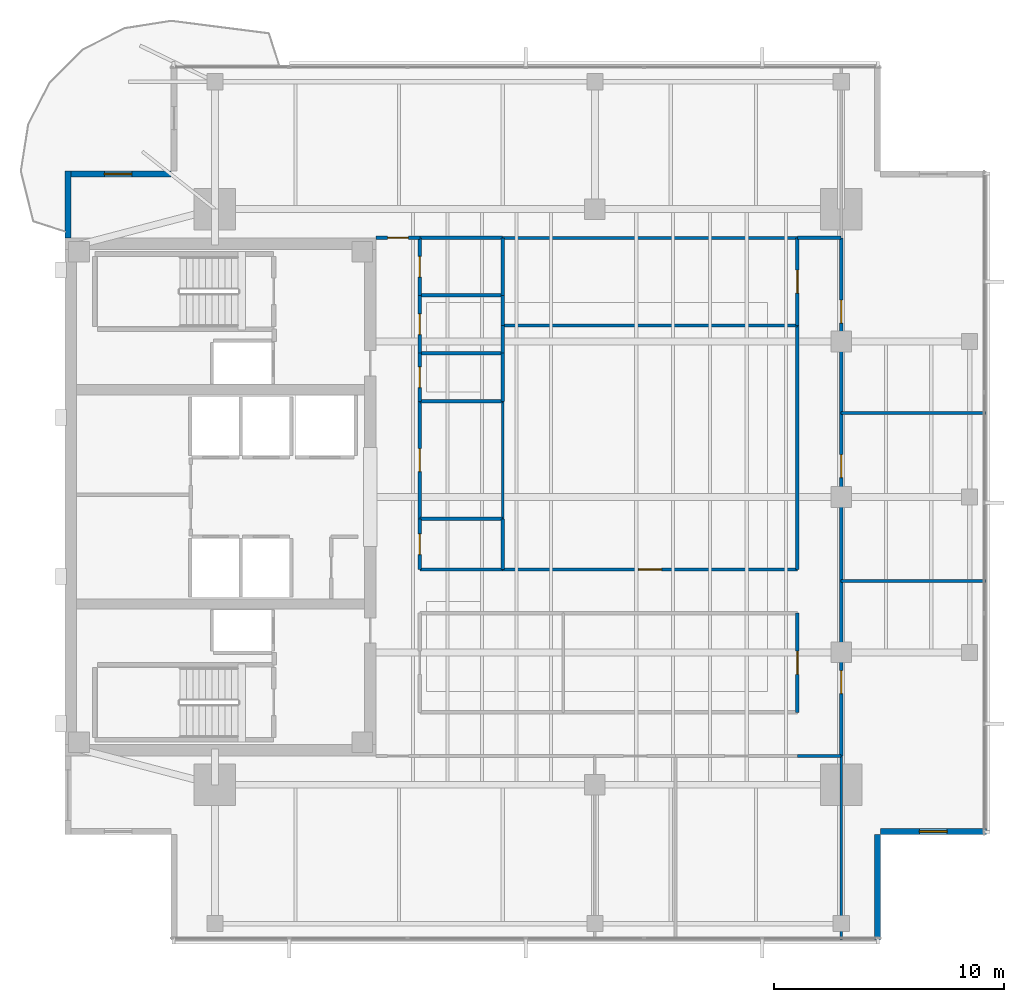
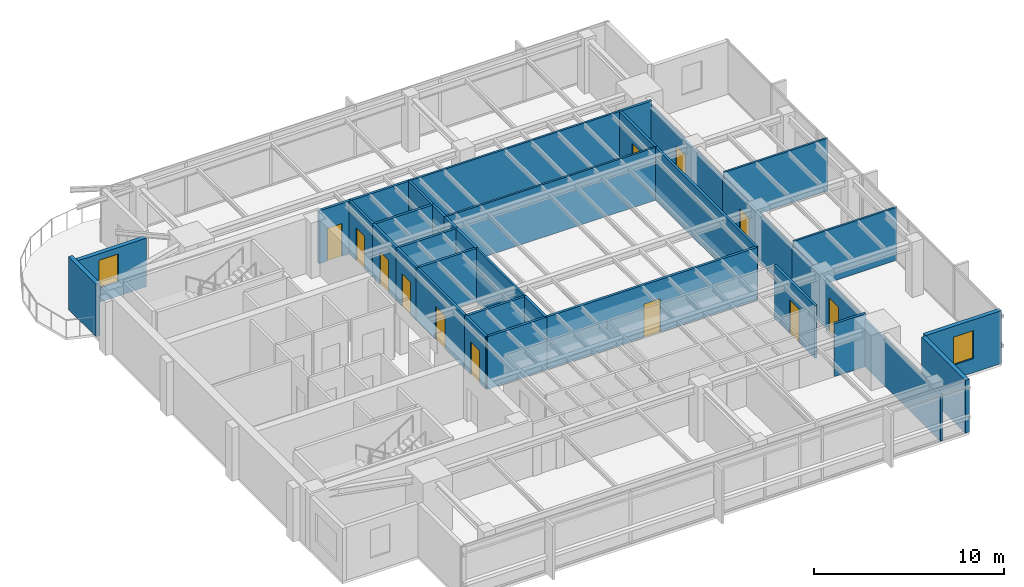
# One storey, part 9 of 14: 36 walls, 12 doors, 2 windows, 14 openings.
"""IFC4 building model written with IfcOpenShell, lengths in metres."""

from ifc_helpers import new_model, si_unit, direction, frame, frame_2d, origin, place, context, subcontext, project, spatial, rectangle, extrude, material, layer, layer_set, type_object, element, fill, save


model = new_model("IFC4")

# Units and contexts
model_context = context("Model", 3, precision=1e-05, world=origin(), true_north=direction((0.0, 1.0)))
body_context = subcontext(model_context, "Body", "Model", "MODEL_VIEW")
ifc_project = project(units=[si_unit("LENGTHUNIT", "METRE"), si_unit("AREAUNIT", "SQUARE_METRE"), si_unit("VOLUMEUNIT", "CUBIC_METRE"), si_unit("PLANEANGLEUNIT", "RADIAN"), si_unit("MASSUNIT", "GRAM", prefix="KILO")], contexts=[model_context])

# Site, building, storey
site_placement = place(None, origin())
site = spatial("IfcSite", under=ifc_project, at=site_placement, CompositionType="ELEMENT")
building_placement = place(site_placement, origin())
building = spatial("IfcBuilding", under=site, at=building_placement, Name="Kinhvarn Gate Tower", CompositionType="ELEMENT")
storey_placement = place(building_placement, frame((0.0, 0.0, 277.64990234375)))
storey = spatial("IfcBuildingStorey", under=building, at=storey_placement, Name="L74", CompositionType="ELEMENT", Elevation=277.64990234375)

# Walls
ifc_material_1 = material(Name="Fired architectural terracotta", Category="masonry")
ifc_layer_1 = layer(ifc_material_1, 0.25)
ifc_layer_set_1 = layer_set([ifc_layer_1], Name="Fired architectural terracotta")
wall_type_1 = type_object("IfcWallType", Name="WL-EXT-250", PredefinedType="SOLIDWALL", material=ifc_layer_set_1)
wall_1_placement = place(storey_placement, frame((4.625, 39.39990234375, 0.0), z_axis=(0.0, 0.0, 1.0), x_axis=(0.0, -1.0, 0.0)))
element("IfcWall", 1, at=wall_1_placement, inside=storey, type_object=wall_type_1, Name="Exterior Solidwall Wall EW-250 (L74 West-North)", PredefinedType="SOLIDWALL", context=body_context, shape_type="SweptSolid", body=[
    extrude(rectangle(XDim=2.89990234375, YDim=0.25, at=frame_2d((1.449951171875, 0.0))), origin(), (0.0, 0.0, 1.0), 3.39013671875),
])
wall_2_placement = place(storey_placement, frame((39.77490234375, 6.0, 0.0), z_axis=(0.0, 0.0, 1.0), x_axis=(0.0, 1.0, 0.0)))
element("IfcWall", 2, at=wall_2_placement, inside=storey, type_object=wall_type_1, Name="Exterior Solidwall Wall EW-250 (L74 SE-Notch-1)", PredefinedType="SOLIDWALL", context=body_context, shape_type="SweptSolid", body=[
    extrude(rectangle(XDim=4.60009765625, YDim=0.25, at=frame_2d((2.300048828125, 0.0))), origin(), (0.0, 0.0, 1.0), 3.39013671875),
])

# Wall, opening, window
wall_3_placement = place(storey_placement, frame((39.89990234375, 10.72509765625, 0.0), z_axis=(0.0, 0.0, 1.0), x_axis=(1.0, 0.0, 0.0)))
wall_3 = element("IfcWall", 3, at=wall_3_placement, inside=storey, type_object=wall_type_1, Name="Exterior Solidwall Wall EW-250 (L74 SE-Notch-2)", PredefinedType="SOLIDWALL", context=body_context, shape_type="SweptSolid", body=[
    extrude(rectangle(XDim=4.60009765625, YDim=0.25, at=frame_2d((2.300048828125, 0.0))), origin(), (0.0, 0.0, 1.0), 3.39013671875),
])
opening_1_placement = place(wall_3_placement, frame((1.699951171875, 0.0, 0.89990234375)))
opening_1 = element("IfcOpeningElement", 4, at=opening_1_placement, cuts=wall_3, Name="Opening WN-02", PredefinedType="OPENING", context=body_context, shape_type="SweptSolid", body=[
    extrude(rectangle(XDim=1.199951171875, YDim=1.800048828125, at=frame_2d((0.60009765625, 0.89990234375))), frame((0.0, 0.135009765625, 0.0), z_axis=(0.0, -1.0, 0.0), x_axis=(1.0, 0.0, 0.0)), (0.0, 0.0, 1.0), 0.27001953125),
])
ifc_material_2 = material(Name="Clear low-e double glazing", Category="glass")
window_type = type_object("IfcWindowType", Name="WIN-NTC-1200", PartitioningType="SINGLE_PANEL", PredefinedType="WINDOW", material=ifc_material_2)
window_1_placement = place(opening_1_placement, origin())
window_1 = element("IfcWindow", 5, at=window_1_placement, inside=storey, type_object=window_type, Name="Recessed Corner Notch Punched Window 1200x1800 mm (L74)", OverallHeight=1.800048828125, OverallWidth=1.199951171875, PartitioningType="SINGLE_PANEL", PredefinedType="WINDOW", context=body_context, shape_type="SweptSolid", body=[
    extrude(rectangle(XDim=1.199951171875, YDim=1.800048828125, at=frame_2d((0.60009765625, 0.89990234375))), frame((0.0, 0.030029296875, 0.0), z_axis=(0.0, -1.0, 0.0), x_axis=(1.0, 0.0, 0.0)), (0.0, 0.0, 1.0), 0.06005859375),
])
fill(opening_1, window_1)

wall_4_placement = place(storey_placement, frame((9.10009765625, 39.27490234375, 0.0), z_axis=(0.0, 0.0, 1.0), x_axis=(-1.0, 0.0, 0.0)))
wall_4 = element("IfcWall", 6, at=wall_4_placement, inside=storey, type_object=wall_type_1, Name="Exterior Solidwall Wall EW-250 (L74 NW-Notch-Win)", PredefinedType="SOLIDWALL", context=body_context, shape_type="SweptSolid", body=[
    extrude(rectangle(XDim=4.60009765625, YDim=0.25, at=frame_2d((2.300048828125, 0.0))), origin(), (0.0, 0.0, 1.0), 3.1201171875),
])
opening_2_placement = place(wall_4_placement, frame((1.699951171875, 0.0, 0.89990234375)))
opening_2 = element("IfcOpeningElement", 7, at=opening_2_placement, cuts=wall_4, Name="Opening WN-02", PredefinedType="OPENING", context=body_context, shape_type="SweptSolid", body=[
    extrude(rectangle(XDim=1.199951171875, YDim=1.800048828125, at=frame_2d((0.60009765625, 0.89990234375))), frame((0.0, 0.135009765625, 0.0), z_axis=(0.0, -1.0, 0.0), x_axis=(1.0, 0.0, 0.0)), (0.0, 0.0, 1.0), 0.27001953125),
])
window_2_placement = place(opening_2_placement, origin())
window_2 = element("IfcWindow", 8, at=window_2_placement, inside=storey, type_object=window_type, Name="Recessed Corner Notch Punched Window 1200x1800 mm (L74)", OverallHeight=1.800048828125, OverallWidth=1.199951171875, PartitioningType="SINGLE_PANEL", PredefinedType="WINDOW", context=body_context, shape_type="SweptSolid", body=[
    extrude(rectangle(XDim=1.199951171875, YDim=1.800048828125, at=frame_2d((0.60009765625, 0.89990234375))), frame((0.0, 0.030029296875, 0.0), z_axis=(0.0, -1.0, 0.0), x_axis=(1.0, 0.0, 0.0)), (0.0, 0.0, 1.0), 0.06005859375),
])
fill(opening_2, window_2)

# Walls
ifc_material_3 = material(Name="Gypsum acoustic partition board")
ifc_layer_2 = layer(ifc_material_3, 0.14990234375)
ifc_layer_set_2 = layer_set([ifc_layer_2], Name="Gypsum acoustic partition board")
wall_type_2 = type_object("IfcWallType", Name="WL-PLM-150", PredefinedType="PLUMBINGWALL", material=ifc_layer_set_2)
wall_5_placement = place(storey_placement, frame((19.89990234375, 34.0, 0.0), z_axis=(0.0, 0.0, 1.0), x_axis=(1.0, 0.0, 0.0)))
element("IfcWall", 9, at=wall_5_placement, inside=storey, type_object=wall_type_2, Name="Interior Partition PLW-150 (L74)", PredefinedType="PLUMBINGWALL", context=body_context, shape_type="SweptSolid", body=[
    extrude(rectangle(XDim=3.60009765625, YDim=0.14990234375, at=frame_2d((1.800048828125, 0.0))), origin(), (0.0, 0.0, 1.0), 3.39013671875),
])
wall_6_placement = place(storey_placement, frame((23.5, 34.0, 0.0), z_axis=(0.0, 0.0, 1.0), x_axis=(0.0, 1.0, 0.0)))
element("IfcWall", 10, at=wall_6_placement, inside=storey, type_object=wall_type_2, Name="Interior Partition PLW-150 (L74)", PredefinedType="PLUMBINGWALL", context=body_context, shape_type="SweptSolid", body=[
    extrude(rectangle(XDim=2.5, YDim=0.14990234375, at=frame_2d((1.25, 0.0))), origin(), (0.0, 0.0, 1.0), 3.39013671875),
])
for number, where, z_axis, x_axis, name in (
    (11, (19.89990234375, 36.5, 0.0), (0.0, 0.0, 1.0), (1.0, 0.0, 0.0), "Interior Partition PLW-150 (L74)"),
    (12, (19.89990234375, 31.5, 0.0), (0.0, 0.0, 1.0), (1.0, 0.0, 0.0), "Interior Partition PLW-150 (L74)"),
):
    element("IfcWall", number, at=place(storey_placement, frame(where, z_axis=z_axis, x_axis=x_axis)), inside=storey, type_object=wall_type_2, Name=name, PredefinedType="PLUMBINGWALL", context=body_context, shape_type="SweptSolid", body=[
        extrude(rectangle(XDim=3.60009765625, YDim=0.14990234375, at=frame_2d((1.800048828125, 0.0))), origin(), (0.0, 0.0, 1.0), 3.39013671875),
    ])
wall_7_placement = place(storey_placement, frame((23.5, 32.699951171875, 0.0), z_axis=(0.0, 0.0, 1.0), x_axis=(0.0, 1.0, 0.0)))
element("IfcWall", 13, at=wall_7_placement, inside=storey, type_object=wall_type_2, Name="Interior Partition PLW-150 (L74)", PredefinedType="PLUMBINGWALL", context=body_context, shape_type="SweptSolid", body=[
    extrude(rectangle(XDim=1.300048828125, YDim=0.14990234375, at=frame_2d((0.64990234375, 0.0))), origin(), (0.0, 0.0, 1.0), 3.39013671875),
])
wall_8_placement = place(storey_placement, frame((23.5, 31.5, 0.0), z_axis=(0.0, 0.0, 1.0), x_axis=(0.0, 1.0, 0.0)))
element("IfcWall", 14, at=wall_8_placement, inside=storey, type_object=wall_type_2, Name="Interior Partition PLW-150 (L74)", PredefinedType="PLUMBINGWALL", context=body_context, shape_type="SweptSolid", body=[
    extrude(rectangle(XDim=1.199951171875, YDim=0.14990234375, at=frame_2d((0.60009765625, 0.0))), origin(), (0.0, 0.0, 1.0), 3.39013671875),
])
wall_9_placement = place(storey_placement, frame((19.89990234375, 29.39990234375, 0.0), z_axis=(0.0, 0.0, 1.0), x_axis=(1.0, 0.0, 0.0)))
element("IfcWall", 15, at=wall_9_placement, inside=storey, type_object=wall_type_2, Name="Interior Partition PLW-150 (L74)", PredefinedType="PLUMBINGWALL", context=body_context, shape_type="SweptSolid", body=[
    extrude(rectangle(XDim=3.60009765625, YDim=0.14990234375, at=frame_2d((1.800048828125, 0.0))), origin(), (0.0, 0.0, 1.0), 3.39013671875),
])
wall_10_placement = place(storey_placement, frame((23.5, 29.39990234375, 0.0), z_axis=(0.0, 0.0, 1.0), x_axis=(0.0, 1.0, 0.0)))
element("IfcWall", 16, at=wall_10_placement, inside=storey, type_object=wall_type_2, Name="Interior Partition PLW-150 (L74)", PredefinedType="PLUMBINGWALL", context=body_context, shape_type="SweptSolid", body=[
    extrude(rectangle(XDim=2.10009765625, YDim=0.14990234375, at=frame_2d((1.050048828125, 0.0))), origin(), (0.0, 0.0, 1.0), 3.39013671875),
])
wall_11_placement = place(storey_placement, frame((19.89990234375, 24.300048828125, 0.0), z_axis=(0.0, 0.0, 1.0), x_axis=(1.0, 0.0, 0.0)))
element("IfcWall", 17, at=wall_11_placement, inside=storey, type_object=wall_type_2, Name="Interior Partition PLW-150 (L74)", PredefinedType="PLUMBINGWALL", context=body_context, shape_type="SweptSolid", body=[
    extrude(rectangle(XDim=3.60009765625, YDim=0.14990234375, at=frame_2d((1.800048828125, 0.0))), origin(), (0.0, 0.0, 1.0), 3.39013671875),
])
wall_12_placement = place(storey_placement, frame((23.5, 22.10009765625, 0.0), z_axis=(0.0, 0.0, 1.0), x_axis=(0.0, 1.0, 0.0)))
element("IfcWall", 18, at=wall_12_placement, inside=storey, type_object=wall_type_2, Name="Interior Partition PLW-150 (L74)", PredefinedType="PLUMBINGWALL", context=body_context, shape_type="SweptSolid", body=[
    extrude(rectangle(XDim=2.199951171875, YDim=0.14990234375, at=frame_2d((1.10009765625, 0.0))), origin(), (0.0, 0.0, 1.0), 3.39013671875),
])

# Wall, opening, door
ifc_layer_3 = layer(ifc_material_3, 0.14990234375)
ifc_layer_set_3 = layer_set([ifc_layer_3], Name="Gypsum acoustic partition board")
wall_type_3 = type_object("IfcWallType", Name="WL-PLM-150F", PredefinedType="PLUMBINGWALL", material=ifc_layer_set_3)
wall_13_placement = place(storey_placement, frame((19.89990234375, 34.0, 0.0), z_axis=(0.0, 0.0, 1.0), x_axis=(0.0, 1.0, 0.0)))
wall_13 = element("IfcWall", 19, at=wall_13_placement, inside=storey, type_object=wall_type_3, Name="Interior Partition PLW-150F (L74)", PredefinedType="PLUMBINGWALL", context=body_context, shape_type="SweptSolid", body=[
    extrude(rectangle(XDim=2.5, YDim=0.14990234375, at=frame_2d((1.25, 0.0))), origin(), (0.0, 0.0, 1.0), 3.39013671875),
])
opening_3_placement = place(wall_13_placement, frame((0.800048828125, 0.0, 0.0)))
opening_3 = element("IfcOpeningElement", 20, at=opening_3_placement, cuts=wall_13, Name="Opening FD-04", PredefinedType="OPENING", context=body_context, shape_type="SweptSolid", body=[
    extrude(rectangle(XDim=0.89990234375, YDim=2.10009765625, at=frame_2d((0.449951171875, 1.050048828125))), frame((0.0, 0.0849609375, 0.0), z_axis=(0.0, -1.0, 0.0), x_axis=(1.0, 0.0, 0.0)), (0.0, 0.0, 1.0), 0.169921875),
])
ifc_material_4 = material(Name="Anodised aluminium AW-6063", Category="aluminium")
door_type_1 = type_object("IfcDoorType", Name="DR-FD-900", OperationType="NOTDEFINED", PredefinedType="DOOR", material=ifc_material_4)
door_1_placement = place(opening_3_placement, origin())
door_1 = element("IfcDoor", 21, at=door_1_placement, inside=storey, type_object=door_type_1, Name="Rated Riser & Service Closet Fire Door 900x2100 mm (L74)", OperationType="SINGLE_SWING_LEFT", OverallHeight=2.10009765625, OverallWidth=0.89990234375, PredefinedType="DOOR", context=body_context, shape_type="SweptSolid", body=[
    extrude(rectangle(XDim=0.89990234375, YDim=2.10009765625, at=frame_2d((0.449951171875, 1.050048828125))), frame((0.0, 0.02490234375, 0.0), z_axis=(0.0, -1.0, 0.0), x_axis=(1.0, 0.0, 0.0)), (0.0, 0.0, 1.0), 0.050048828125),
])
fill(opening_3, door_1)

wall_14_placement = place(storey_placement, frame((19.89990234375, 31.5, 0.0), z_axis=(0.0, 0.0, 1.0), x_axis=(0.0, 1.0, 0.0)))
wall_14 = element("IfcWall", 22, at=wall_14_placement, inside=storey, type_object=wall_type_3, Name="Interior Partition PLW-150F (L74)", PredefinedType="PLUMBINGWALL", context=body_context, shape_type="SweptSolid", body=[
    extrude(rectangle(XDim=2.5, YDim=0.14990234375, at=frame_2d((1.25, 0.0))), origin(), (0.0, 0.0, 1.0), 3.39013671875),
])
opening_4_placement = place(wall_14_placement, frame((0.800048828125, 0.0, 0.0)))
opening_4 = element("IfcOpeningElement", 23, at=opening_4_placement, cuts=wall_14, Name="Opening FD-04", PredefinedType="OPENING", context=body_context, shape_type="SweptSolid", body=[
    extrude(rectangle(XDim=0.89990234375, YDim=2.10009765625, at=frame_2d((0.449951171875, 1.050048828125))), frame((0.0, 0.0849609375, 0.0), z_axis=(0.0, -1.0, 0.0), x_axis=(1.0, 0.0, 0.0)), (0.0, 0.0, 1.0), 0.169921875),
])
door_2_placement = place(opening_4_placement, origin())
door_2 = element("IfcDoor", 24, at=door_2_placement, inside=storey, type_object=door_type_1, Name="Rated Riser & Service Closet Fire Door 900x2100 mm (L74)", OperationType="SINGLE_SWING_RIGHT", OverallHeight=2.10009765625, OverallWidth=0.89990234375, PredefinedType="DOOR", context=body_context, shape_type="SweptSolid", body=[
    extrude(rectangle(XDim=0.89990234375, YDim=2.10009765625, at=frame_2d((0.449951171875, 1.050048828125))), frame((0.0, 0.02490234375, 0.0), z_axis=(0.0, -1.0, 0.0), x_axis=(1.0, 0.0, 0.0)), (0.0, 0.0, 1.0), 0.050048828125),
])
fill(opening_4, door_2)

wall_15_placement = place(storey_placement, frame((19.89990234375, 29.39990234375, 0.0), z_axis=(0.0, 0.0, 1.0), x_axis=(0.0, 1.0, 0.0)))
wall_15 = element("IfcWall", 25, at=wall_15_placement, inside=storey, type_object=wall_type_3, Name="Interior Partition PLW-150F (L74)", PredefinedType="PLUMBINGWALL", context=body_context, shape_type="SweptSolid", body=[
    extrude(rectangle(XDim=2.10009765625, YDim=0.14990234375, at=frame_2d((1.050048828125, 0.0))), origin(), (0.0, 0.0, 1.0), 3.39013671875),
])
opening_5_placement = place(wall_15_placement, frame((0.60009765625, 0.0, 0.0)))
opening_5 = element("IfcOpeningElement", 26, at=opening_5_placement, cuts=wall_15, Name="Opening FD-04", PredefinedType="OPENING", context=body_context, shape_type="SweptSolid", body=[
    extrude(rectangle(XDim=0.89990234375, YDim=2.10009765625, at=frame_2d((0.449951171875, 1.050048828125))), frame((0.0, 0.0849609375, 0.0), z_axis=(0.0, -1.0, 0.0), x_axis=(1.0, 0.0, 0.0)), (0.0, 0.0, 1.0), 0.169921875),
])
door_3_placement = place(opening_5_placement, origin())
door_3 = element("IfcDoor", 27, at=door_3_placement, inside=storey, type_object=door_type_1, Name="Rated Riser & Service Closet Fire Door 900x2100 mm (L74)", OperationType="SINGLE_SWING_LEFT", OverallHeight=2.10009765625, OverallWidth=0.89990234375, PredefinedType="DOOR", context=body_context, shape_type="SweptSolid", body=[
    extrude(rectangle(XDim=0.89990234375, YDim=2.10009765625, at=frame_2d((0.449951171875, 1.050048828125))), frame((0.0, 0.02490234375, 0.0), z_axis=(0.0, -1.0, 0.0), x_axis=(1.0, 0.0, 0.0)), (0.0, 0.0, 1.0), 0.050048828125),
])
fill(opening_5, door_3)

wall_16_placement = place(storey_placement, frame((19.89990234375, 22.10009765625, 0.0), z_axis=(0.0, 0.0, 1.0), x_axis=(0.0, 1.0, 0.0)))
wall_16 = element("IfcWall", 28, at=wall_16_placement, inside=storey, type_object=wall_type_3, Name="Interior Partition PLW-150F (L74)", PredefinedType="PLUMBINGWALL", context=body_context, shape_type="SweptSolid", body=[
    extrude(rectangle(XDim=2.199951171875, YDim=0.14990234375, at=frame_2d((1.10009765625, 0.0))), origin(), (0.0, 0.0, 1.0), 3.39013671875),
])
opening_6_placement = place(wall_16_placement, frame((0.64990234375, 0.0, 0.0)))
opening_6 = element("IfcOpeningElement", 29, at=opening_6_placement, cuts=wall_16, Name="Opening FD-04", PredefinedType="OPENING", context=body_context, shape_type="SweptSolid", body=[
    extrude(rectangle(XDim=0.89990234375, YDim=2.10009765625, at=frame_2d((0.449951171875, 1.050048828125))), frame((0.0, 0.0849609375, 0.0), z_axis=(0.0, -1.0, 0.0), x_axis=(1.0, 0.0, 0.0)), (0.0, 0.0, 1.0), 0.169921875),
])
door_4_placement = place(opening_6_placement, origin())
door_4 = element("IfcDoor", 30, at=door_4_placement, inside=storey, type_object=door_type_1, Name="Rated Riser & Service Closet Fire Door 900x2100 mm (L74)", OperationType="SINGLE_SWING_RIGHT", OverallHeight=2.10009765625, OverallWidth=0.89990234375, PredefinedType="DOOR", context=body_context, shape_type="SweptSolid", body=[
    extrude(rectangle(XDim=0.89990234375, YDim=2.10009765625, at=frame_2d((0.449951171875, 1.050048828125))), frame((0.0, 0.02490234375, 0.0), z_axis=(0.0, -1.0, 0.0), x_axis=(1.0, 0.0, 0.0)), (0.0, 0.0, 1.0), 0.050048828125),
])
fill(opening_6, door_4)

# Walls
wall_17_placement = place(storey_placement, frame((19.89990234375, 22.10009765625, 0.0), z_axis=(0.0, 0.0, 1.0), x_axis=(1.0, 0.0, 0.0)))
element("IfcWall", 31, at=wall_17_placement, inside=storey, type_object=wall_type_3, Name="Interior Partition PLW-150F (L74)", PredefinedType="PLUMBINGWALL", context=body_context, shape_type="SweptSolid", body=[
    extrude(rectangle(XDim=3.60009765625, YDim=0.14990234375, at=frame_2d((1.800048828125, 0.0))), origin(), (0.0, 0.0, 1.0), 3.39013671875),
])
ifc_layer_4 = layer(ifc_material_3, 0.1201171875)
ifc_layer_set_4 = layer_set([ifc_layer_4], Name="Gypsum acoustic partition board")
wall_type_4 = type_object("IfcWallType", Name="WL-PRT-120", PredefinedType="PARTITIONING", material=ifc_layer_set_4)
wall_18_placement = place(storey_placement, frame((23.5, 24.300048828125, 0.0), z_axis=(0.0, 0.0, 1.0), x_axis=(0.0, 1.0, 0.0)))
element("IfcWall", 32, at=wall_18_placement, inside=storey, type_object=wall_type_4, Name="Interior Partition PW-120 (L74)", PredefinedType="PARTITIONING", context=body_context, shape_type="SweptSolid", body=[
    extrude(rectangle(XDim=5.099853515625, YDim=0.1201171875, at=frame_2d((2.5498046875, 0.0))), origin(), (0.0, 0.0, 1.0), 3.39013671875),
])
for number, where, z_axis, x_axis, name in (
    (33, (23.5, 32.699951171875, 0.0), (0.0, 0.0, 1.0), (1.0, 0.0, 0.0), "Interior Partition PW-120 (L74)"),
    (34, (23.5, 36.5, 0.0), (0.0, 0.0, 1.0), (1.0, 0.0, 0.0), "Interior Partition PW-120 (L74)"),
):
    element("IfcWall", number, at=place(storey_placement, frame(where, z_axis=z_axis, x_axis=x_axis)), inside=storey, type_object=wall_type_4, Name=name, PredefinedType="PARTITIONING", context=body_context, shape_type="SweptSolid", body=[
        extrude(rectangle(XDim=12.800048828125, YDim=0.1201171875, at=frame_2d((6.39990234375, 0.0))), origin(), (0.0, 0.0, 1.0), 3.39013671875),
    ])
wall_19_placement = place(storey_placement, frame((38.199951171875, 6.010009765625, 0.0), z_axis=(0.0, 0.0, 1.0), x_axis=(0.0, 1.0, 0.0)))
element("IfcWall", 35, at=wall_19_placement, inside=storey, type_object=wall_type_4, Name="Interior Partition PW-120 (L74)", PredefinedType="PARTITIONING", context=body_context, shape_type="SweptSolid", body=[
    extrude(rectangle(XDim=7.989990234375, YDim=0.1201171875, at=frame_2d((3.9951171875, 0.0))), origin(), (0.0, 0.0, 1.0), 2.989990234375),
])
for number, where, z_axis, x_axis, name in (
    (36, (38.199951171875, 21.60009765625, 0.0), (0.0, 0.0, 1.0), (1.0, 0.0, 0.0), "Interior Partition PW-120 (L74)"),
    (37, (38.199951171875, 28.89990234375, 0.0), (0.0, 0.0, 1.0), (1.0, 0.0, 0.0), "Interior Partition PW-120 (L74)"),
):
    element("IfcWall", number, at=place(storey_placement, frame(where, z_axis=z_axis, x_axis=x_axis)), inside=storey, type_object=wall_type_4, Name=name, PredefinedType="PARTITIONING", context=body_context, shape_type="SweptSolid", body=[
        extrude(rectangle(XDim=6.2900390625, YDim=0.1201171875, at=frame_2d((3.14501953125, 0.0))), origin(), (0.0, 0.0, 1.0), 3.39013671875),
    ])

# Wall, opening, door
ifc_layer_5 = layer(ifc_material_3, 0.14990234375)
ifc_layer_set_5 = layer_set([ifc_layer_5], Name="Gypsum acoustic partition board")
wall_type_5 = type_object("IfcWallType", Name="WL-PRT-150F", PredefinedType="PARTITIONING", material=ifc_layer_set_5)
wall_20_placement = place(storey_placement, frame((19.89990234375, 24.300048828125, 0.0), z_axis=(0.0, 0.0, 1.0), x_axis=(0.0, 1.0, 0.0)))
wall_20 = element("IfcWall", 38, at=wall_20_placement, inside=storey, type_object=wall_type_5, Name="Interior Partition PW-150F (L74)", PredefinedType="PARTITIONING", context=body_context, shape_type="SweptSolid", body=[
    extrude(rectangle(XDim=5.099853515625, YDim=0.14990234375, at=frame_2d((2.5498046875, 0.0))), origin(), (0.0, 0.0, 1.0), 3.39013671875),
])
opening_7_placement = place(wall_20_placement, frame((2.050048828125, 0.0, 0.0)))
opening_7 = element("IfcOpeningElement", 39, at=opening_7_placement, cuts=wall_20, Name="Opening ID-02", PredefinedType="OPENING", context=body_context, shape_type="SweptSolid", body=[
    extrude(rectangle(XDim=1.0, YDim=2.14990234375, at=frame_2d((0.5, 1.074951171875))), frame((0.0, 0.0849609375, 0.0), z_axis=(0.0, -1.0, 0.0), x_axis=(1.0, 0.0, 0.0)), (0.0, 0.0, 1.0), 0.169921875),
])
door_type_2 = type_object("IfcDoorType", Name="DR-INT-1000", OperationType="NOTDEFINED", PredefinedType="DOOR", material=ifc_material_4)
door_5_placement = place(opening_7_placement, origin())
door_5 = element("IfcDoor", 40, at=door_5_placement, inside=storey, type_object=door_type_2, Name="Standard Office & Meeting Room Door 1000x2150 mm (L74)", OperationType="SINGLE_SWING_LEFT", OverallHeight=2.14990234375, OverallWidth=1.0, PredefinedType="DOOR", context=body_context, shape_type="SweptSolid", body=[
    extrude(rectangle(XDim=1.0, YDim=2.14990234375, at=frame_2d((0.5, 1.074951171875))), frame((0.0, 0.02490234375, 0.0), z_axis=(0.0, -1.0, 0.0), x_axis=(1.0, 0.0, 0.0)), (0.0, 0.0, 1.0), 0.050048828125),
])
fill(opening_7, door_5)

wall_21_placement = place(storey_placement, frame((18.0, 36.5, 0.0), z_axis=(0.0, 0.0, 1.0), x_axis=(1.0, 0.0, 0.0)))
wall_21 = element("IfcWall", 41, at=wall_21_placement, inside=storey, type_object=wall_type_5, Name="Interior Partition PW-150F (L74)", PredefinedType="PARTITIONING", context=body_context, shape_type="SweptSolid", body=[
    extrude(rectangle(XDim=1.89990234375, YDim=0.14990234375, at=frame_2d((0.949951171875, 0.0))), origin(), (0.0, 0.0, 1.0), 3.39013671875),
])
opening_8_placement = place(wall_21_placement, frame((0.5, 0.0, 0.0)))
opening_8 = element("IfcOpeningElement", 42, at=opening_8_placement, cuts=wall_21, Name="Opening ID-03", PredefinedType="OPENING", context=body_context, shape_type="SweptSolid", body=[
    extrude(rectangle(XDim=0.89990234375, YDim=2.10009765625, at=frame_2d((0.449951171875, 1.050048828125))), frame((0.0, 0.0849609375, 0.0), z_axis=(0.0, -1.0, 0.0), x_axis=(1.0, 0.0, 0.0)), (0.0, 0.0, 1.0), 0.169921875),
])
door_type_3 = type_object("IfcDoorType", Name="DR-INT-900", OperationType="NOTDEFINED", PredefinedType="DOOR", material=ifc_material_4)
door_6_placement = place(opening_8_placement, origin())
door_6 = element("IfcDoor", 43, at=door_6_placement, inside=storey, type_object=door_type_3, Name="Cellular Office & Restroom Door 900x2100 mm (L74)", OperationType="SINGLE_SWING_LEFT", OverallHeight=2.10009765625, OverallWidth=0.89990234375, PredefinedType="DOOR", context=body_context, shape_type="SweptSolid", body=[
    extrude(rectangle(XDim=0.89990234375, YDim=2.10009765625, at=frame_2d((0.449951171875, 1.050048828125))), frame((0.0, 0.02490234375, 0.0), z_axis=(0.0, -1.0, 0.0), x_axis=(1.0, 0.0, 0.0)), (0.0, 0.0, 1.0), 0.050048828125),
])
fill(opening_8, door_6)

wall_22_placement = place(storey_placement, frame((23.5, 22.10009765625, 0.0), z_axis=(0.0, 0.0, 1.0), x_axis=(1.0, 0.0, 0.0)))
wall_22 = element("IfcWall", 44, at=wall_22_placement, inside=storey, type_object=wall_type_5, Name="Interior Partition PW-150F (L74)", PredefinedType="PARTITIONING", context=body_context, shape_type="SweptSolid", body=[
    extrude(rectangle(XDim=12.800048828125, YDim=0.14990234375, at=frame_2d((6.39990234375, 0.0))), origin(), (0.0, 0.0, 1.0), 3.39013671875),
])
opening_9_placement = place(wall_22_placement, frame((5.89990234375, 0.0, 0.0)))
opening_9 = element("IfcOpeningElement", 45, at=opening_9_placement, cuts=wall_22, Name="Opening ID-02", PredefinedType="OPENING", context=body_context, shape_type="SweptSolid", body=[
    extrude(rectangle(XDim=1.0, YDim=2.14990234375, at=frame_2d((0.5, 1.074951171875))), frame((0.0, 0.0849609375, 0.0), z_axis=(0.0, -1.0, 0.0), x_axis=(1.0, 0.0, 0.0)), (0.0, 0.0, 1.0), 0.169921875),
])
door_7_placement = place(opening_9_placement, origin())
door_7 = element("IfcDoor", 46, at=door_7_placement, inside=storey, type_object=door_type_2, Name="Standard Office & Meeting Room Door 1000x2150 mm (L74)", OperationType="SINGLE_SWING_RIGHT", OverallHeight=2.14990234375, OverallWidth=1.0, PredefinedType="DOOR", context=body_context, shape_type="SweptSolid", body=[
    extrude(rectangle(XDim=1.0, YDim=2.14990234375, at=frame_2d((0.5, 1.074951171875))), frame((0.0, 0.02490234375, 0.0), z_axis=(0.0, -1.0, 0.0), x_axis=(1.0, 0.0, 0.0)), (0.0, 0.0, 1.0), 0.050048828125),
])
fill(opening_9, door_7)

wall_23_placement = place(storey_placement, frame((36.300048828125, 15.89990234375, 0.0), z_axis=(0.0, 0.0, 1.0), x_axis=(0.0, 1.0, 0.0)))
wall_23 = element("IfcWall", 47, at=wall_23_placement, inside=storey, type_object=wall_type_5, Name="Interior Partition PW-150F (L74)", PredefinedType="PARTITIONING", context=body_context, shape_type="SweptSolid", body=[
    extrude(rectangle(XDim=4.300048828125, YDim=0.14990234375, at=frame_2d((2.14990234375, 0.0))), origin(), (0.0, 0.0, 1.0), 3.39013671875),
])
opening_10_placement = place(wall_23_placement, frame((1.64990234375, 0.0, 0.0)))
opening_10 = element("IfcOpeningElement", 48, at=opening_10_placement, cuts=wall_23, Name="Opening ID-02", PredefinedType="OPENING", context=body_context, shape_type="SweptSolid", body=[
    extrude(rectangle(XDim=1.0, YDim=2.14990234375, at=frame_2d((0.5, 1.074951171875))), frame((0.0, 0.0849609375, 0.0), z_axis=(0.0, -1.0, 0.0), x_axis=(1.0, 0.0, 0.0)), (0.0, 0.0, 1.0), 0.169921875),
])
door_8_placement = place(opening_10_placement, origin())
door_8 = element("IfcDoor", 49, at=door_8_placement, inside=storey, type_object=door_type_2, Name="Standard Office & Meeting Room Door 1000x2150 mm (L74)", OperationType="SINGLE_SWING_LEFT", OverallHeight=2.14990234375, OverallWidth=1.0, PredefinedType="DOOR", context=body_context, shape_type="SweptSolid", body=[
    extrude(rectangle(XDim=1.0, YDim=2.14990234375, at=frame_2d((0.5, 1.074951171875))), frame((0.0, 0.02490234375, 0.0), z_axis=(0.0, -1.0, 0.0), x_axis=(1.0, 0.0, 0.0)), (0.0, 0.0, 1.0), 0.050048828125),
])
fill(opening_10, door_8)

wall_24_placement = place(storey_placement, frame((36.300048828125, 32.699951171875, 0.0), z_axis=(0.0, 0.0, 1.0), x_axis=(0.0, 1.0, 0.0)))
wall_24 = element("IfcWall", 50, at=wall_24_placement, inside=storey, type_object=wall_type_5, Name="Interior Partition PW-150F (L74)", PredefinedType="PARTITIONING", context=body_context, shape_type="SweptSolid", body=[
    extrude(rectangle(XDim=3.800048828125, YDim=0.14990234375, at=frame_2d((1.89990234375, 0.0))), origin(), (0.0, 0.0, 1.0), 3.39013671875),
])
opening_11_placement = place(wall_24_placement, frame((1.39990234375, 0.0, 0.0)))
opening_11 = element("IfcOpeningElement", 51, at=opening_11_placement, cuts=wall_24, Name="Opening ID-02", PredefinedType="OPENING", context=body_context, shape_type="SweptSolid", body=[
    extrude(rectangle(XDim=1.0, YDim=2.14990234375, at=frame_2d((0.5, 1.074951171875))), frame((0.0, 0.0849609375, 0.0), z_axis=(0.0, -1.0, 0.0), x_axis=(1.0, 0.0, 0.0)), (0.0, 0.0, 1.0), 0.169921875),
])
door_9_placement = place(opening_11_placement, origin())
door_9 = element("IfcDoor", 52, at=door_9_placement, inside=storey, type_object=door_type_2, Name="Standard Office & Meeting Room Door 1000x2150 mm (L74)", OperationType="SINGLE_SWING_RIGHT", OverallHeight=2.14990234375, OverallWidth=1.0, PredefinedType="DOOR", context=body_context, shape_type="SweptSolid", body=[
    extrude(rectangle(XDim=1.0, YDim=2.14990234375, at=frame_2d((0.5, 1.074951171875))), frame((0.0, 0.02490234375, 0.0), z_axis=(0.0, -1.0, 0.0), x_axis=(1.0, 0.0, 0.0)), (0.0, 0.0, 1.0), 0.050048828125),
])
fill(opening_11, door_9)

# Walls
wall_25_placement = place(storey_placement, frame((36.300048828125, 22.10009765625, 0.0), z_axis=(0.0, 0.0, 1.0), x_axis=(0.0, 1.0, 0.0)))
element("IfcWall", 53, at=wall_25_placement, inside=storey, type_object=wall_type_5, Name="Interior Partition PW-150F (L74)", PredefinedType="PARTITIONING", context=body_context, shape_type="SweptSolid", body=[
    extrude(rectangle(XDim=10.599853515625, YDim=0.14990234375, at=frame_2d((5.2998046875, 0.0))), origin(), (0.0, 0.0, 1.0), 3.39013671875),
])
for number, where, z_axis, x_axis, name in (
    (54, (36.300048828125, 14.0, 0.0), (0.0, 0.0, 1.0), (1.0, 0.0, 0.0), "Interior Partition PW-150F (L74)"),
    (55, (36.300048828125, 36.5, 0.0), (0.0, 0.0, 1.0), (1.0, 0.0, 0.0), "Interior Partition PW-150F (L74)"),
):
    element("IfcWall", number, at=place(storey_placement, frame(where, z_axis=z_axis, x_axis=x_axis)), inside=storey, type_object=wall_type_5, Name=name, PredefinedType="PARTITIONING", context=body_context, shape_type="SweptSolid", body=[
        extrude(rectangle(XDim=1.89990234375, YDim=0.14990234375, at=frame_2d((0.949951171875, 0.0))), origin(), (0.0, 0.0, 1.0), 3.39013671875),
    ])

# Wall, opening, door
wall_26_placement = place(storey_placement, frame((38.199951171875, 14.0, 0.0), z_axis=(0.0, 0.0, 1.0), x_axis=(0.0, 1.0, 0.0)))
wall_26 = element("IfcWall", 56, at=wall_26_placement, inside=storey, type_object=wall_type_5, Name="Interior Partition PW-150F (L74)", PredefinedType="PARTITIONING", context=body_context, shape_type="SweptSolid", body=[
    extrude(rectangle(XDim=7.60009765625, YDim=0.14990234375, at=frame_2d((3.800048828125, 0.0))), origin(), (0.0, 0.0, 1.0), 2.989990234375),
])
opening_12_placement = place(wall_26_placement, frame((2.7060546875, 0.0, 0.0)))
opening_12 = element("IfcOpeningElement", 57, at=opening_12_placement, cuts=wall_26, Name="Opening ID-02", PredefinedType="OPENING", context=body_context, shape_type="SweptSolid", body=[
    extrude(rectangle(XDim=1.0, YDim=2.14990234375, at=frame_2d((0.5, 1.074951171875))), frame((0.0, 0.0849609375, 0.0), z_axis=(0.0, -1.0, 0.0), x_axis=(1.0, 0.0, 0.0)), (0.0, 0.0, 1.0), 0.169921875),
])
door_10_placement = place(opening_12_placement, origin())
door_10 = element("IfcDoor", 58, at=door_10_placement, inside=storey, type_object=door_type_2, Name="Standard Office & Meeting Room Door 1000x2150 mm (L74)", OperationType="SINGLE_SWING_LEFT", OverallHeight=2.14990234375, OverallWidth=1.0, PredefinedType="DOOR", context=body_context, shape_type="SweptSolid", body=[
    extrude(rectangle(XDim=1.0, YDim=2.14990234375, at=frame_2d((0.5, 1.074951171875))), frame((0.0, 0.02490234375, 0.0), z_axis=(0.0, -1.0, 0.0), x_axis=(1.0, 0.0, 0.0)), (0.0, 0.0, 1.0), 0.050048828125),
])
fill(opening_12, door_10)

wall_27_placement = place(storey_placement, frame((38.199951171875, 21.60009765625, 0.0), z_axis=(0.0, 0.0, 1.0), x_axis=(0.0, 1.0, 0.0)))
wall_27 = element("IfcWall", 59, at=wall_27_placement, inside=storey, type_object=wall_type_5, Name="Interior Partition PW-150F (L74)", PredefinedType="PARTITIONING", context=body_context, shape_type="SweptSolid", body=[
    extrude(rectangle(XDim=7.2998046875, YDim=0.14990234375, at=frame_2d((3.64990234375, 0.0))), origin(), (0.0, 0.0, 1.0), 2.989990234375),
])
opening_13_placement = place(wall_27_placement, frame((4.486083984375, 0.0, 0.0)))
opening_13 = element("IfcOpeningElement", 60, at=opening_13_placement, cuts=wall_27, Name="Opening ID-02", PredefinedType="OPENING", context=body_context, shape_type="SweptSolid", body=[
    extrude(rectangle(XDim=1.0, YDim=2.14990234375, at=frame_2d((0.5, 1.074951171875))), frame((0.0, 0.0849609375, 0.0), z_axis=(0.0, -1.0, 0.0), x_axis=(1.0, 0.0, 0.0)), (0.0, 0.0, 1.0), 0.169921875),
])
door_11_placement = place(opening_13_placement, origin())
door_11 = element("IfcDoor", 61, at=door_11_placement, inside=storey, type_object=door_type_2, Name="Standard Office & Meeting Room Door 1000x2150 mm (L74)", OperationType="SINGLE_SWING_RIGHT", OverallHeight=2.14990234375, OverallWidth=1.0, PredefinedType="DOOR", context=body_context, shape_type="SweptSolid", body=[
    extrude(rectangle(XDim=1.0, YDim=2.14990234375, at=frame_2d((0.5, 1.074951171875))), frame((0.0, 0.02490234375, 0.0), z_axis=(0.0, -1.0, 0.0), x_axis=(1.0, 0.0, 0.0)), (0.0, 0.0, 1.0), 0.050048828125),
])
fill(opening_13, door_11)

wall_28_placement = place(storey_placement, frame((38.199951171875, 28.89990234375, 0.0), z_axis=(0.0, 0.0, 1.0), x_axis=(0.0, 1.0, 0.0)))
wall_28 = element("IfcWall", 62, at=wall_28_placement, inside=storey, type_object=wall_type_5, Name="Interior Partition PW-150F (L74)", PredefinedType="PARTITIONING", context=body_context, shape_type="SweptSolid", body=[
    extrude(rectangle(XDim=7.60009765625, YDim=0.14990234375, at=frame_2d((3.800048828125, 0.0))), origin(), (0.0, 0.0, 1.0), 2.989990234375),
])
opening_14_placement = place(wall_28_placement, frame((3.89404296875, 0.0, 0.0)))
opening_14 = element("IfcOpeningElement", 63, at=opening_14_placement, cuts=wall_28, Name="Opening ID-02", PredefinedType="OPENING", context=body_context, shape_type="SweptSolid", body=[
    extrude(rectangle(XDim=1.0, YDim=2.14990234375, at=frame_2d((0.5, 1.074951171875))), frame((0.0, 0.0849609375, 0.0), z_axis=(0.0, -1.0, 0.0), x_axis=(1.0, 0.0, 0.0)), (0.0, 0.0, 1.0), 0.169921875),
])
door_12_placement = place(opening_14_placement, origin())
door_12 = element("IfcDoor", 64, at=door_12_placement, inside=storey, type_object=door_type_2, Name="Standard Office & Meeting Room Door 1000x2150 mm (L74)", OperationType="SINGLE_SWING_LEFT", OverallHeight=2.14990234375, OverallWidth=1.0, PredefinedType="DOOR", context=body_context, shape_type="SweptSolid", body=[
    extrude(rectangle(XDim=1.0, YDim=2.14990234375, at=frame_2d((0.5, 1.074951171875))), frame((0.0, 0.02490234375, 0.0), z_axis=(0.0, -1.0, 0.0), x_axis=(1.0, 0.0, 0.0)), (0.0, 0.0, 1.0), 0.050048828125),
])
fill(opening_14, door_12)

save(model, "model.ifc")
